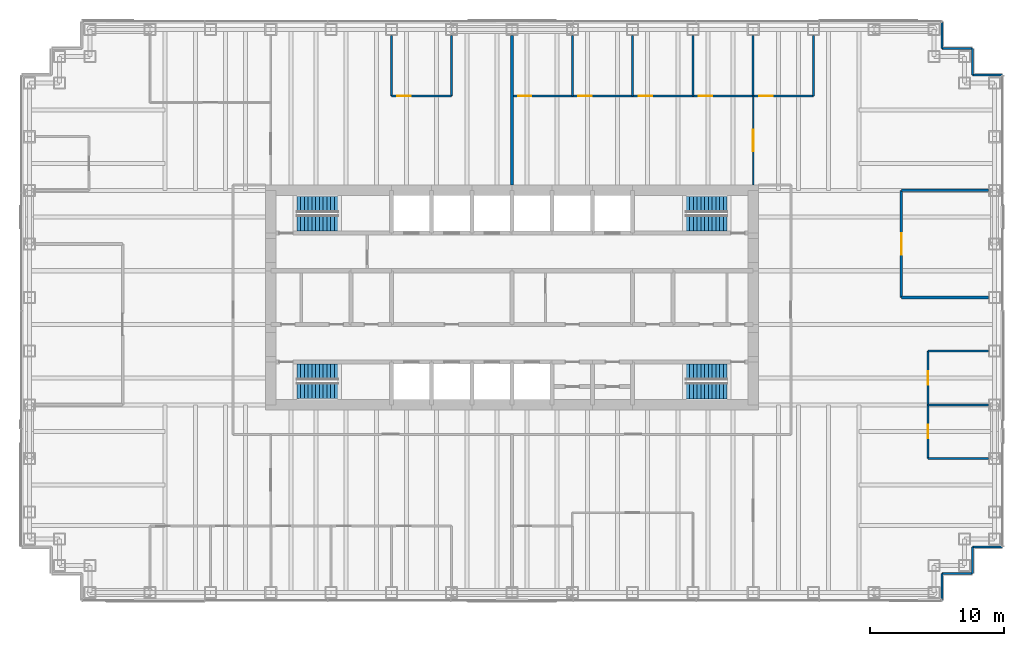
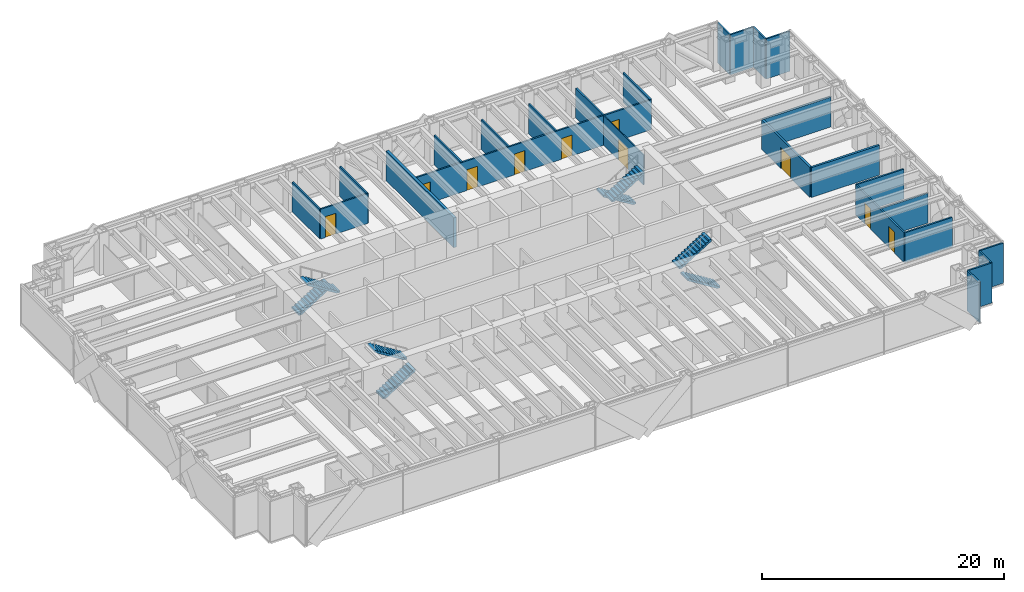
# One storey, part 17 of 18: 26 walls, 10 doors, 8 stair flights, 10 openings, 4 elements without a shape of their own.
"""IFC4 building model written with IfcOpenShell, lengths in metres."""

from ifc_helpers import new_model, si_unit, direction, frame, frame_2d, origin, place, context, subcontext, project, spatial, polyline, rectangle, outline, extrude, material, layer, layer_set, type_object, element, fill, aggregate, save


model = new_model("IFC4")

# Units and contexts
model_context = context("Model", 3, precision=1e-05, world=origin(), true_north=direction((0.0, 1.0)))
body_context = subcontext(model_context, "Body", "Model", "MODEL_VIEW")
ifc_project = project(units=[si_unit("LENGTHUNIT", "METRE"), si_unit("AREAUNIT", "SQUARE_METRE"), si_unit("VOLUMEUNIT", "CUBIC_METRE"), si_unit("PLANEANGLEUNIT", "RADIAN"), si_unit("MASSUNIT", "GRAM", prefix="KILO")], contexts=[model_context])

# Site, building, storey
site_placement = place(None, origin())
site = spatial("IfcSite", under=ifc_project, at=site_placement, CompositionType="ELEMENT")
building_placement = place(site_placement, origin())
building = spatial("IfcBuilding", under=site, at=building_placement, Name="Rheinbord Bourse Tower", CompositionType="ELEMENT")
storey_placement = place(building_placement, frame((0.0, 0.0, 244.60009765625)))
storey = spatial("IfcBuildingStorey", under=building, at=storey_placement, Name="L55", CompositionType="ELEMENT", Elevation=244.60009765625)

# Walls
ifc_material_1 = material(Name="Acoustic gypsum board partition", Category="gypsum board")
ifc_layer_1 = layer(ifc_material_1, 0.199951171875)
ifc_layer_set_1 = layer_set([ifc_layer_1], Name="ACOUSTIC PARTITION 200")
wall_type_1 = type_object("IfcWallType", Name="ACOUSTIC PARTITION 200", PredefinedType="PARTITIONING", material=ifc_layer_set_1)
for number, where, z_axis, x_axis, name in (
    (1, (65.050048828125, 24.0, 0.0), (0.0, 0.0, 1.0), (1.0, 0.0, 0.0), "Partition L55-09"),
    (2, (65.050048828125, 32.0, 0.0), (0.0, 0.0, 1.0), (1.0, 0.0, 0.0), "Partition L55-12"),
):
    element("IfcWall", number, at=place(storey_placement, frame(where, z_axis=z_axis, x_axis=x_axis)), inside=storey, type_object=wall_type_1, Name=name, PredefinedType="PARTITIONING", context=body_context, shape_type="SweptSolid", body=[
        extrude(rectangle(XDim=6.5, YDim=0.199951171875, at=frame_2d((3.25, 0.0))), origin(), (0.0, 0.0, 1.0), 3.0),
    ])

# Wall, opening, door
wall_1_placement = place(storey_placement, frame((65.050048828125, 24.0, 0.0), z_axis=(0.0, 0.0, 1.0), x_axis=(0.0, 1.0, 0.0)))
wall_1 = element("IfcWall", 3, at=wall_1_placement, inside=storey, type_object=wall_type_1, Name="Partition L55-46", PredefinedType="PARTITIONING", context=body_context, shape_type="SweptSolid", body=[
    extrude(rectangle(XDim=8.0, YDim=0.199951171875, at=frame_2d((4.0, 0.0))), origin(), (0.0, 0.0, 1.0), 3.0),
])
opening_1_placement = place(wall_1_placement, frame((3.199951171875, 0.0, 0.0)))
opening_1 = element("IfcOpeningElement", 4, at=opening_1_placement, cuts=wall_1, Name="Opening 55D11", PredefinedType="OPENING", context=body_context, shape_type="SweptSolid", body=[
    extrude(rectangle(XDim=1.60009765625, YDim=2.10009765625, at=frame_2d((0.800048828125, 1.050048828125))), frame((0.0, 0.10986328125, 0.0), z_axis=(0.0, -1.0, 0.0), x_axis=(1.0, 0.0, 0.0)), (0.0, 0.0, 1.0), 0.219970703125),
])
ifc_material_2 = material(Name="Timber door", Category="wood")
door_type_1 = type_object("IfcDoorType", Name="DOUBLE ROOM DOOR 1600", OperationType="DOUBLE_DOOR_DOUBLE_SWING", PredefinedType="DOOR", material=ifc_material_2)
door_1_placement = place(opening_1_placement, origin())
door_1 = element("IfcDoor", 5, at=door_1_placement, inside=storey, type_object=door_type_1, Name="Board room door L55", OperationType="SINGLE_SWING_LEFT", OverallHeight=2.10009765625, OverallWidth=1.60009765625, PredefinedType="DOOR", context=body_context, shape_type="SweptSolid", body=[
    extrude(rectangle(XDim=1.60009765625, YDim=2.10009765625, at=frame_2d((0.800048828125, 1.050048828125))), frame((0.0, 0.02490234375, 0.0), z_axis=(0.0, -1.0, 0.0), x_axis=(1.0, 0.0, 0.0)), (0.0, 0.0, 1.0), 0.050048828125),
])
fill(opening_1, door_1)

# Walls
ifc_material_3 = material(Name="Black metal rainscreen panel", Category="aluminium")
ifc_layer_2 = layer(ifc_material_3, 0.14990234375)
ifc_layer_set_2 = layer_set([ifc_layer_2], Name="CORNER PIER CLADDING 150")
wall_type_2 = type_object("IfcWallType", Name="CORNER PIER CLADDING 150", PredefinedType="ELEMENTEDWALL", material=ifc_layer_set_2)
wall_2_placement = place(storey_placement, frame((68.10009765625, 1.39990234375, 0.0), z_axis=(0.0, 0.0, 1.0), x_axis=(0.0, 1.0, 0.0)))
element("IfcWall", 6, at=wall_2_placement, inside=storey, type_object=wall_type_2, Name="Corner pier cladding L55 2", PredefinedType="ELEMENTEDWALL", context=body_context, shape_type="SweptSolid", body=[
    extrude(rectangle(XDim=2.0, YDim=0.14990234375, at=frame_2d((1.0, 0.0))), origin(), (0.0, 0.0, 1.0), 4.039794921875),
])
wall_3_placement = place(storey_placement, frame((68.10009765625, 3.39990234375, 0.0), z_axis=(0.0, 0.0, 1.0), x_axis=(1.0, 0.0, 0.0)))
element("IfcWall", 7, at=wall_3_placement, inside=storey, type_object=wall_type_2, Name="Corner pier cladding L55 3", PredefinedType="ELEMENTEDWALL", context=body_context, shape_type="SweptSolid", body=[
    extrude(rectangle(XDim=2.25, YDim=0.14990234375, at=frame_2d((1.125, 0.0))), origin(), (0.0, 0.0, 1.0), 4.039794921875),
])
wall_4_placement = place(storey_placement, frame((70.35009765625, 3.39990234375, 0.0), z_axis=(0.0, 0.0, 1.0), x_axis=(0.0, 1.0, 0.0)))
element("IfcWall", 8, at=wall_4_placement, inside=storey, type_object=wall_type_2, Name="Corner pier cladding L55 4", PredefinedType="ELEMENTEDWALL", context=body_context, shape_type="SweptSolid", body=[
    extrude(rectangle(XDim=2.0, YDim=0.14990234375, at=frame_2d((1.0, 0.0))), origin(), (0.0, 0.0, 1.0), 4.039794921875),
])
for number, where, z_axis, x_axis, name in (
    (9, (70.35009765625, 5.39990234375, 0.0), (0.0, 0.0, 1.0), (1.0, 0.0, 0.0), "Corner pier cladding L55 5"),
    (10, (72.60009765625, 40.60009765625, 0.0), (0.0, 0.0, 1.0), (-1.0, 0.0, 0.0), "Corner pier cladding L55 7"),
):
    element("IfcWall", number, at=place(storey_placement, frame(where, z_axis=z_axis, x_axis=x_axis)), inside=storey, type_object=wall_type_2, Name=name, PredefinedType="ELEMENTEDWALL", context=body_context, shape_type="SweptSolid", body=[
        extrude(rectangle(XDim=2.25, YDim=0.14990234375, at=frame_2d((1.125, 0.0))), origin(), (0.0, 0.0, 1.0), 4.039794921875),
    ])
wall_5_placement = place(storey_placement, frame((70.35009765625, 40.60009765625, 0.0), z_axis=(0.0, 0.0, 1.0), x_axis=(0.0, 1.0, 0.0)))
element("IfcWall", 11, at=wall_5_placement, inside=storey, type_object=wall_type_2, Name="Corner pier cladding L55 8", PredefinedType="ELEMENTEDWALL", context=body_context, shape_type="SweptSolid", body=[
    extrude(rectangle(XDim=2.0, YDim=0.14990234375, at=frame_2d((1.0, 0.0))), origin(), (0.0, 0.0, 1.0), 4.039794921875),
])
wall_6_placement = place(storey_placement, frame((70.35009765625, 42.60009765625, 0.0), z_axis=(0.0, 0.0, 1.0), x_axis=(-1.0, 0.0, 0.0)))
element("IfcWall", 12, at=wall_6_placement, inside=storey, type_object=wall_type_2, Name="Corner pier cladding L55 9", PredefinedType="ELEMENTEDWALL", context=body_context, shape_type="SweptSolid", body=[
    extrude(rectangle(XDim=2.25, YDim=0.14990234375, at=frame_2d((1.125, 0.0))), origin(), (0.0, 0.0, 1.0), 4.039794921875),
])
wall_7_placement = place(storey_placement, frame((68.10009765625, 42.60009765625, 0.0), z_axis=(0.0, 0.0, 1.0), x_axis=(0.0, 1.0, 0.0)))
element("IfcWall", 13, at=wall_7_placement, inside=storey, type_object=wall_type_2, Name="Corner pier cladding L55 10", PredefinedType="ELEMENTEDWALL", context=body_context, shape_type="SweptSolid", body=[
    extrude(rectangle(XDim=2.0, YDim=0.14990234375, at=frame_2d((1.0, 0.0))), origin(), (0.0, 0.0, 1.0), 4.039794921875),
])
ifc_material_4 = material(Name="Gypsum board tenancy wall", Category="gypsum board")
ifc_layer_3 = layer(ifc_material_4, 0.25)
ifc_layer_set_3 = layer_set([ifc_layer_3], Name="DEMISING PARTITION 250 EI60")
wall_type_3 = type_object("IfcWallType", Name="DEMISING PARTITION 250 EI60", PredefinedType="PARTITIONING", material=ifc_layer_set_3)
wall_8_placement = place(storey_placement, frame((36.0, 32.39990234375, 0.0), z_axis=(0.0, 0.0, 1.0), x_axis=(0.0, 1.0, 0.0)))
element("IfcWall", 14, at=wall_8_placement, inside=storey, type_object=wall_type_3, Name="Partition L55-34", PredefinedType="PARTITIONING", context=body_context, shape_type="SweptSolid", body=[
    extrude(rectangle(XDim=11.150146484375, YDim=0.25, at=frame_2d((5.5751953125, 0.0))), origin(), (0.0, 0.0, 1.0), 3.0),
])

# Wall, opening, door
ifc_material_5 = material(Name="Toughened laminated glass partition", Category="glass")
ifc_layer_4 = layer(ifc_material_5, 0.10009765625)
ifc_layer_set_4 = layer_set([ifc_layer_4], Name="GLAZED PARTITION 100")
wall_type_4 = type_object("IfcWallType", Name="GLAZED PARTITION 100", PredefinedType="PARTITIONING", material=ifc_layer_set_4)
wall_9_placement = place(storey_placement, frame((54.0, 32.39990234375, 0.0), z_axis=(0.0, 0.0, 1.0), x_axis=(0.0, 1.0, 0.0)))
wall_9 = element("IfcWall", 15, at=wall_9_placement, inside=storey, type_object=wall_type_4, Name="Partition L55-42", PredefinedType="PARTITIONING", context=body_context, shape_type="SweptSolid", body=[
    extrude(rectangle(XDim=6.650146484375, YDim=0.10009765625, at=frame_2d((3.3251953125, 0.0))), origin(), (0.0, 0.0, 1.0), 3.0),
])
opening_2_placement = place(wall_9_placement, frame((2.52490234375, 0.0, 0.0)))
opening_2 = element("IfcOpeningElement", 16, at=opening_2_placement, cuts=wall_9, Name="Opening 55D23", PredefinedType="OPENING", context=body_context, shape_type="SweptSolid", body=[
    extrude(rectangle(XDim=1.60009765625, YDim=2.10009765625, at=frame_2d((0.800048828125, 1.050048828125))), frame((0.0, 0.06005859375, 0.0), z_axis=(0.0, -1.0, 0.0), x_axis=(1.0, 0.0, 0.0)), (0.0, 0.0, 1.0), 0.1201171875),
])
door_2_placement = place(opening_2_placement, origin())
door_2 = element("IfcDoor", 17, at=door_2_placement, inside=storey, type_object=door_type_1, Name="Open area door L55", OperationType="SINGLE_SWING_LEFT", OverallHeight=2.10009765625, OverallWidth=1.60009765625, PredefinedType="DOOR", context=body_context, shape_type="SweptSolid", body=[
    extrude(rectangle(XDim=1.60009765625, YDim=2.10009765625, at=frame_2d((0.800048828125, 1.050048828125))), frame((0.0, 0.02490234375, 0.0), z_axis=(0.0, -1.0, 0.0), x_axis=(1.0, 0.0, 0.0)), (0.0, 0.0, 1.0), 0.050048828125),
])
fill(opening_2, door_2)

# Walls
ifc_material_6 = material(Name="Gypsum board partition", Category="gypsum board")
ifc_layer_5 = layer(ifc_material_6, 0.14990234375)
ifc_layer_set_5 = layer_set([ifc_layer_5], Name="PARTITION 150")
wall_type_5 = type_object("IfcWallType", Name="PARTITION 150", PredefinedType="PARTITIONING", material=ifc_layer_set_5)
for number, where, z_axis, x_axis, name in (
    (18, (67.050048828125, 12.0, 0.0), (0.0, 0.0, 1.0), (1.0, 0.0, 0.0), "Partition L55-04"),
    (19, (67.050048828125, 16.0, 0.0), (0.0, 0.0, 1.0), (1.0, 0.0, 0.0), "Partition L55-07"),
    (20, (67.050048828125, 20.0, 0.0), (0.0, 0.0, 1.0), (1.0, 0.0, 0.0), "Partition L55-08"),
):
    element("IfcWall", number, at=place(storey_placement, frame(where, z_axis=z_axis, x_axis=x_axis)), inside=storey, type_object=wall_type_5, Name=name, PredefinedType="PARTITIONING", context=body_context, shape_type="SweptSolid", body=[
        extrude(rectangle(XDim=4.5, YDim=0.14990234375, at=frame_2d((2.25, 0.0))), origin(), (0.0, 0.0, 1.0), 3.0),
    ])

# Wall, opening, door
wall_10_placement = place(storey_placement, frame((27.0, 39.050048828125, 0.0), z_axis=(0.0, 0.0, 1.0), x_axis=(1.0, 0.0, 0.0)))
wall_10 = element("IfcWall", 21, at=wall_10_placement, inside=storey, type_object=wall_type_5, Name="Partition L55-17", PredefinedType="PARTITIONING", context=body_context, shape_type="SweptSolid", body=[
    extrude(rectangle(XDim=4.5, YDim=0.14990234375, at=frame_2d((2.25, 0.0))), origin(), (0.0, 0.0, 1.0), 3.0),
])
opening_3_placement = place(wall_10_placement, frame((0.449951171875, 0.0, 0.0)))
opening_3 = element("IfcOpeningElement", 22, at=opening_3_placement, cuts=wall_10, Name="Opening 55D14", PredefinedType="OPENING", context=body_context, shape_type="SweptSolid", body=[
    extrude(rectangle(XDim=1.0, YDim=2.10009765625, at=frame_2d((0.5, 1.050048828125))), frame((0.0, 0.0849609375, 0.0), z_axis=(0.0, -1.0, 0.0), x_axis=(1.0, 0.0, 0.0)), (0.0, 0.0, 1.0), 0.169921875),
])
ifc_material_7 = material(Name="Timber door", Category="wood")
door_type_2 = type_object("IfcDoorType", Name="ROOM DOOR 1000", OperationType="SINGLE_SWING_LEFT", PredefinedType="DOOR", material=ifc_material_7)
door_3_placement = place(opening_3_placement, origin())
door_3 = element("IfcDoor", 23, at=door_3_placement, inside=storey, type_object=door_type_2, Name="Pantry door L55", OperationType="SINGLE_SWING_LEFT", OverallHeight=2.10009765625, OverallWidth=1.0, PredefinedType="DOOR", context=body_context, shape_type="SweptSolid", body=[
    extrude(rectangle(XDim=1.0, YDim=2.10009765625, at=frame_2d((0.5, 1.050048828125))), frame((0.0, 0.02490234375, 0.0), z_axis=(0.0, -1.0, 0.0), x_axis=(1.0, 0.0, 0.0)), (0.0, 0.0, 1.0), 0.050048828125),
])
fill(opening_3, door_3)

# Wall, openings, doors
wall_11_placement = place(storey_placement, frame((36.0, 39.050048828125, 0.0), z_axis=(0.0, 0.0, 1.0), x_axis=(1.0, 0.0, 0.0)))
wall_11 = element("IfcWall", 24, at=wall_11_placement, inside=storey, type_object=wall_type_5, Name="Partition L55-18", PredefinedType="PARTITIONING", context=body_context, shape_type="SweptSolid", body=[
    extrude(rectangle(XDim=22.5, YDim=0.14990234375, at=frame_2d((11.25, 0.0))), origin(), (0.0, 0.0, 1.0), 3.0),
])
opening_4_placement = place(wall_11_placement, frame((0.449951171875, 0.0, 0.0)))
opening_4 = element("IfcOpeningElement", 25, at=opening_4_placement, cuts=wall_11, Name="Opening 55D15", PredefinedType="OPENING", context=body_context, shape_type="SweptSolid", body=[
    extrude(rectangle(XDim=1.0, YDim=2.10009765625, at=frame_2d((0.5, 1.050048828125))), frame((0.0, 0.0849609375, 0.0), z_axis=(0.0, -1.0, 0.0), x_axis=(1.0, 0.0, 0.0)), (0.0, 0.0, 1.0), 0.169921875),
])
opening_5_placement = place(wall_11_placement, frame((4.949951171875, 0.0, 0.0)))
opening_5 = element("IfcOpeningElement", 26, at=opening_5_placement, cuts=wall_11, Name="Opening 55D16", PredefinedType="OPENING", context=body_context, shape_type="SweptSolid", body=[
    extrude(rectangle(XDim=1.0, YDim=2.10009765625, at=frame_2d((0.5, 1.050048828125))), frame((0.0, 0.0849609375, 0.0), z_axis=(0.0, -1.0, 0.0), x_axis=(1.0, 0.0, 0.0)), (0.0, 0.0, 1.0), 0.169921875),
])
opening_6_placement = place(wall_11_placement, frame((9.449951171875, 0.0, 0.0)))
opening_6 = element("IfcOpeningElement", 27, at=opening_6_placement, cuts=wall_11, Name="Opening 55D17", PredefinedType="OPENING", context=body_context, shape_type="SweptSolid", body=[
    extrude(rectangle(XDim=1.0, YDim=2.10009765625, at=frame_2d((0.5, 1.050048828125))), frame((0.0, 0.0849609375, 0.0), z_axis=(0.0, -1.0, 0.0), x_axis=(1.0, 0.0, 0.0)), (0.0, 0.0, 1.0), 0.169921875),
])
opening_7_placement = place(wall_11_placement, frame((13.949951171875, 0.0, 0.0)))
opening_7 = element("IfcOpeningElement", 28, at=opening_7_placement, cuts=wall_11, Name="Opening 55D18", PredefinedType="OPENING", context=body_context, shape_type="SweptSolid", body=[
    extrude(rectangle(XDim=1.0, YDim=2.10009765625, at=frame_2d((0.5, 1.050048828125))), frame((0.0, 0.0849609375, 0.0), z_axis=(0.0, -1.0, 0.0), x_axis=(1.0, 0.0, 0.0)), (0.0, 0.0, 1.0), 0.169921875),
])
opening_8_placement = place(wall_11_placement, frame((18.449951171875, 0.0, 0.0)))
opening_8 = element("IfcOpeningElement", 29, at=opening_8_placement, cuts=wall_11, Name="Opening 55D19", PredefinedType="OPENING", context=body_context, shape_type="SweptSolid", body=[
    extrude(rectangle(XDim=1.0, YDim=2.10009765625, at=frame_2d((0.5, 1.050048828125))), frame((0.0, 0.0849609375, 0.0), z_axis=(0.0, -1.0, 0.0), x_axis=(1.0, 0.0, 0.0)), (0.0, 0.0, 1.0), 0.169921875),
])
door_4_placement = place(opening_4_placement, origin())
door_4 = element("IfcDoor", 30, at=door_4_placement, inside=storey, type_object=door_type_2, Name="Office door L55", OperationType="SINGLE_SWING_LEFT", OverallHeight=2.10009765625, OverallWidth=1.0, PredefinedType="DOOR", context=body_context, shape_type="SweptSolid", body=[
    extrude(rectangle(XDim=1.0, YDim=2.10009765625, at=frame_2d((0.5, 1.050048828125))), frame((0.0, 0.02490234375, 0.0), z_axis=(0.0, -1.0, 0.0), x_axis=(1.0, 0.0, 0.0)), (0.0, 0.0, 1.0), 0.050048828125),
])
fill(opening_4, door_4)
door_5_placement = place(opening_5_placement, origin())
door_5 = element("IfcDoor", 31, at=door_5_placement, inside=storey, type_object=door_type_2, Name="Office door L55", OperationType="SINGLE_SWING_LEFT", OverallHeight=2.10009765625, OverallWidth=1.0, PredefinedType="DOOR", context=body_context, shape_type="SweptSolid", body=[
    extrude(rectangle(XDim=1.0, YDim=2.10009765625, at=frame_2d((0.5, 1.050048828125))), frame((0.0, 0.02490234375, 0.0), z_axis=(0.0, -1.0, 0.0), x_axis=(1.0, 0.0, 0.0)), (0.0, 0.0, 1.0), 0.050048828125),
])
fill(opening_5, door_5)
door_6_placement = place(opening_6_placement, origin())
door_6 = element("IfcDoor", 32, at=door_6_placement, inside=storey, type_object=door_type_2, Name="Office door L55", OperationType="SINGLE_SWING_LEFT", OverallHeight=2.10009765625, OverallWidth=1.0, PredefinedType="DOOR", context=body_context, shape_type="SweptSolid", body=[
    extrude(rectangle(XDim=1.0, YDim=2.10009765625, at=frame_2d((0.5, 1.050048828125))), frame((0.0, 0.02490234375, 0.0), z_axis=(0.0, -1.0, 0.0), x_axis=(1.0, 0.0, 0.0)), (0.0, 0.0, 1.0), 0.050048828125),
])
fill(opening_6, door_6)
door_7_placement = place(opening_7_placement, origin())
door_7 = element("IfcDoor", 33, at=door_7_placement, inside=storey, type_object=door_type_2, Name="Office door L55", OperationType="SINGLE_SWING_RIGHT", OverallHeight=2.10009765625, OverallWidth=1.0, PredefinedType="DOOR", context=body_context, shape_type="SweptSolid", body=[
    extrude(rectangle(XDim=1.0, YDim=2.10009765625, at=frame_2d((0.5, 1.050048828125))), frame((0.0, 0.02490234375, 0.0), z_axis=(0.0, -1.0, 0.0), x_axis=(1.0, 0.0, 0.0)), (0.0, 0.0, 1.0), 0.050048828125),
])
fill(opening_7, door_7)
door_8_placement = place(opening_8_placement, origin())
door_8 = element("IfcDoor", 34, at=door_8_placement, inside=storey, type_object=door_type_2, Name="Office door L55", OperationType="SINGLE_SWING_RIGHT", OverallHeight=2.10009765625, OverallWidth=1.0, PredefinedType="DOOR", context=body_context, shape_type="SweptSolid", body=[
    extrude(rectangle(XDim=1.0, YDim=2.10009765625, at=frame_2d((0.5, 1.050048828125))), frame((0.0, 0.02490234375, 0.0), z_axis=(0.0, -1.0, 0.0), x_axis=(1.0, 0.0, 0.0)), (0.0, 0.0, 1.0), 0.050048828125),
])
fill(opening_8, door_8)

# Walls
for number, where, z_axis, x_axis, name in (
    (35, (27.0, 39.050048828125, 0.0), (0.0, 0.0, 1.0), (0.0, 1.0, 0.0), "Partition L55-30"),
    (36, (31.5, 39.050048828125, 0.0), (0.0, 0.0, 1.0), (0.0, 1.0, 0.0), "Partition L55-32"),
    (37, (40.5, 39.050048828125, 0.0), (0.0, 0.0, 1.0), (0.0, 1.0, 0.0), "Partition L55-37"),
    (38, (45.0, 39.050048828125, 0.0), (0.0, 0.0, 1.0), (0.0, 1.0, 0.0), "Partition L55-38"),
    (39, (49.5, 39.050048828125, 0.0), (0.0, 0.0, 1.0), (0.0, 1.0, 0.0), "Partition L55-40"),
    (40, (54.0, 39.050048828125, 0.0), (0.0, 0.0, 1.0), (0.0, 1.0, 0.0), "Partition L55-43"),
    (41, (58.5, 39.050048828125, 0.0), (0.0, 0.0, 1.0), (0.0, 1.0, 0.0), "Partition L55-45"),
):
    element("IfcWall", number, at=place(storey_placement, frame(where, z_axis=z_axis, x_axis=x_axis)), inside=storey, type_object=wall_type_5, Name=name, PredefinedType="PARTITIONING", context=body_context, shape_type="SweptSolid", body=[
        extrude(rectangle(XDim=4.5, YDim=0.14990234375, at=frame_2d((2.25, 0.0))), origin(), (0.0, 0.0, 1.0), 3.0),
    ])

# Wall, openings, doors
wall_12_placement = place(storey_placement, frame((67.050048828125, 12.0, 0.0), z_axis=(0.0, 0.0, 1.0), x_axis=(0.0, 1.0, 0.0)))
wall_12 = element("IfcWall", 42, at=wall_12_placement, inside=storey, type_object=wall_type_5, Name="Partition L55-47", PredefinedType="PARTITIONING", context=body_context, shape_type="SweptSolid", body=[
    extrude(rectangle(XDim=8.0, YDim=0.14990234375, at=frame_2d((4.0, 0.0))), origin(), (0.0, 0.0, 1.0), 3.0),
])
opening_9_placement = place(wall_12_placement, frame((1.5, 0.0, 0.0)))
opening_9 = element("IfcOpeningElement", 43, at=opening_9_placement, cuts=wall_12, Name="Opening 55D08", PredefinedType="OPENING", context=body_context, shape_type="SweptSolid", body=[
    extrude(rectangle(XDim=1.0, YDim=2.10009765625, at=frame_2d((0.5, 1.050048828125))), frame((0.0, 0.0849609375, 0.0), z_axis=(0.0, -1.0, 0.0), x_axis=(1.0, 0.0, 0.0)), (0.0, 0.0, 1.0), 0.169921875),
])
opening_10_placement = place(wall_12_placement, frame((5.5, 0.0, 0.0)))
opening_10 = element("IfcOpeningElement", 44, at=opening_10_placement, cuts=wall_12, Name="Opening 55D09", PredefinedType="OPENING", context=body_context, shape_type="SweptSolid", body=[
    extrude(rectangle(XDim=1.0, YDim=2.10009765625, at=frame_2d((0.5, 1.050048828125))), frame((0.0, 0.0849609375, 0.0), z_axis=(0.0, -1.0, 0.0), x_axis=(1.0, 0.0, 0.0)), (0.0, 0.0, 1.0), 0.169921875),
])
door_9_placement = place(opening_9_placement, origin())
door_9 = element("IfcDoor", 45, at=door_9_placement, inside=storey, type_object=door_type_2, Name="Office door L55", OperationType="SINGLE_SWING_LEFT", OverallHeight=2.10009765625, OverallWidth=1.0, PredefinedType="DOOR", context=body_context, shape_type="SweptSolid", body=[
    extrude(rectangle(XDim=1.0, YDim=2.10009765625, at=frame_2d((0.5, 1.050048828125))), frame((0.0, 0.02490234375, 0.0), z_axis=(0.0, -1.0, 0.0), x_axis=(1.0, 0.0, 0.0)), (0.0, 0.0, 1.0), 0.050048828125),
])
fill(opening_9, door_9)
door_10_placement = place(opening_10_placement, origin())
door_10 = element("IfcDoor", 46, at=door_10_placement, inside=storey, type_object=door_type_2, Name="Office door L55", OperationType="SINGLE_SWING_RIGHT", OverallHeight=2.10009765625, OverallWidth=1.0, PredefinedType="DOOR", context=body_context, shape_type="SweptSolid", body=[
    extrude(rectangle(XDim=1.0, YDim=2.10009765625, at=frame_2d((0.5, 1.050048828125))), frame((0.0, 0.02490234375, 0.0), z_axis=(0.0, -1.0, 0.0), x_axis=(1.0, 0.0, 0.0)), (0.0, 0.0, 1.0), 0.050048828125),
])
fill(opening_10, door_10)

# Stair, stair flights
ifc_material_8 = material(Name="Concrete C30/37", Category="concrete")
stair_type = type_object("IfcStairType", Name="CORE STAIR HALF TURN 4200", PredefinedType="HALF_TURN_STAIR", material=ifc_material_8)
stair_1_placement = place(storey_placement, origin())
stair_1 = element("IfcStair", 47, at=stair_1_placement, inside=storey, type_object=stair_type, Name="Stair ST1 L55, type CS6", PredefinedType="HALF_TURN_STAIR")
ifc_material_9 = material(Name="Concrete C30/37", Category="concrete")
stair_flight_type = type_object("IfcStairFlightType", Name="CORE STAIR FLIGHT 1200, 12 RISERS", PredefinedType="STRAIGHT", material=ifc_material_9)
stair_flight_1_placement = place(storey_placement, frame((19.949951171875, 17.050048828125, 0.0), z_axis=(0.0, 0.0, 1.0), x_axis=(1.0, 0.0, 0.0)))
stair_flight_1 = element("IfcStairFlight", 48, at=stair_flight_1_placement, type_object=stair_flight_type, Name="STAIR L55 ST1 F1", NumberOfRisers=12, NumberOfTreads=11, PredefinedType="STRAIGHT", RiserHeight=0.175, TreadLength=0.28, context=body_context, shape_type="SweptSolid", body=[
    extrude(outline(polyline([(0.0, 0.0), (0.0, 0.175048828125), (0.280029296875, 0.175048828125), (0.280029296875, 0.35009765625), (0.56005859375, 0.35009765625), (0.56005859375, 0.52490234375), (0.840087890625, 0.52490234375), (0.840087890625, 0.699951171875), (1.1201171875, 0.699951171875), (1.1201171875, 0.875), (1.39990234375, 0.875), (1.39990234375, 1.050048828125), (1.679931640625, 1.050048828125), (1.679931640625, 1.22509765625), (1.9599609375, 1.22509765625), (1.9599609375, 1.39990234375), (2.239990234375, 1.39990234375), (2.239990234375, 1.574951171875), (2.52001953125, 1.574951171875), (2.52001953125, 1.75), (2.800048828125, 1.75), (2.800048828125, 1.925048828125), (3.080078125, 1.925048828125), (3.080078125, 2.10009765625), (3.080078125, 1.748291015625), (0.28271484375, 0.0), (0.0, 0.0)])), frame((0.0, 0.60009765625, 0.0), z_axis=(0.0, -1.0, 0.0), x_axis=(1.0, 0.0, 0.0)), (0.0, 0.0, 1.0), 1.199951171875),
])
stair_flight_2_placement = place(storey_placement, frame((23.030029296875, 18.449951171875, 2.099853515625), z_axis=(0.0, 0.0, 1.0), x_axis=(-1.0, 0.0, 0.0)))
stair_flight_2 = element("IfcStairFlight", 49, at=stair_flight_2_placement, type_object=stair_flight_type, Name="STAIR L55 ST1 F2", NumberOfRisers=12, NumberOfTreads=11, PredefinedType="STRAIGHT", RiserHeight=0.175, TreadLength=0.28, context=body_context, shape_type="SweptSolid", body=[
    extrude(outline(polyline([(0.0, 0.0), (0.0, 0.175048828125), (0.280029296875, 0.175048828125), (0.280029296875, 0.35009765625), (0.56005859375, 0.35009765625), (0.56005859375, 0.52490234375), (0.840087890625, 0.52490234375), (0.840087890625, 0.699951171875), (1.1201171875, 0.699951171875), (1.1201171875, 0.875), (1.39990234375, 0.875), (1.39990234375, 1.050048828125), (1.679931640625, 1.050048828125), (1.679931640625, 1.22509765625), (1.9599609375, 1.22509765625), (1.9599609375, 1.39990234375), (2.239990234375, 1.39990234375), (2.239990234375, 1.574951171875), (2.52001953125, 1.574951171875), (2.52001953125, 1.75), (2.800048828125, 1.75), (2.800048828125, 1.925048828125), (3.080078125, 1.925048828125), (3.080078125, 2.10009765625), (3.080078125, 1.748291015625), (0.28271484375, 0.0), (0.0, 0.0)])), frame((0.0, 0.60009765625, 0.0), z_axis=(0.0, -1.0, 0.0), x_axis=(1.0, 0.0, 0.0)), (0.0, 0.0, 1.0), 1.199951171875),
])
aggregate(stair_1, [stair_flight_1, stair_flight_2])

stair_2_placement = place(storey_placement, origin())
stair_2 = element("IfcStair", 50, at=stair_2_placement, inside=storey, type_object=stair_type, Name="Stair ST2 L55, type CS6", PredefinedType="HALF_TURN_STAIR")
stair_flight_3_placement = place(storey_placement, frame((19.949951171875, 30.949951171875, 0.0), z_axis=(0.0, 0.0, 1.0), x_axis=(1.0, 0.0, 0.0)))
stair_flight_3 = element("IfcStairFlight", 51, at=stair_flight_3_placement, type_object=stair_flight_type, Name="STAIR L55 ST2 F1", NumberOfRisers=12, NumberOfTreads=11, PredefinedType="STRAIGHT", RiserHeight=0.175, TreadLength=0.28, context=body_context, shape_type="SweptSolid", body=[
    extrude(outline(polyline([(0.0, 0.0), (0.0, 0.175048828125), (0.280029296875, 0.175048828125), (0.280029296875, 0.35009765625), (0.56005859375, 0.35009765625), (0.56005859375, 0.52490234375), (0.840087890625, 0.52490234375), (0.840087890625, 0.699951171875), (1.1201171875, 0.699951171875), (1.1201171875, 0.875), (1.39990234375, 0.875), (1.39990234375, 1.050048828125), (1.679931640625, 1.050048828125), (1.679931640625, 1.22509765625), (1.9599609375, 1.22509765625), (1.9599609375, 1.39990234375), (2.239990234375, 1.39990234375), (2.239990234375, 1.574951171875), (2.52001953125, 1.574951171875), (2.52001953125, 1.75), (2.800048828125, 1.75), (2.800048828125, 1.925048828125), (3.080078125, 1.925048828125), (3.080078125, 2.10009765625), (3.080078125, 1.748291015625), (0.28271484375, 0.0), (0.0, 0.0)])), frame((0.0, 0.60009765625, 0.0), z_axis=(0.0, -1.0, 0.0), x_axis=(1.0, 0.0, 0.0)), (0.0, 0.0, 1.0), 1.199951171875),
])
stair_flight_4_placement = place(storey_placement, frame((23.030029296875, 29.550048828125, 2.099853515625), z_axis=(0.0, 0.0, 1.0), x_axis=(-1.0, 0.0, 0.0)))
stair_flight_4 = element("IfcStairFlight", 52, at=stair_flight_4_placement, type_object=stair_flight_type, Name="STAIR L55 ST2 F2", NumberOfRisers=12, NumberOfTreads=11, PredefinedType="STRAIGHT", RiserHeight=0.175, TreadLength=0.28, context=body_context, shape_type="SweptSolid", body=[
    extrude(outline(polyline([(0.0, 0.0), (0.0, 0.175048828125), (0.280029296875, 0.175048828125), (0.280029296875, 0.35009765625), (0.56005859375, 0.35009765625), (0.56005859375, 0.52490234375), (0.840087890625, 0.52490234375), (0.840087890625, 0.699951171875), (1.1201171875, 0.699951171875), (1.1201171875, 0.875), (1.39990234375, 0.875), (1.39990234375, 1.050048828125), (1.679931640625, 1.050048828125), (1.679931640625, 1.22509765625), (1.9599609375, 1.22509765625), (1.9599609375, 1.39990234375), (2.239990234375, 1.39990234375), (2.239990234375, 1.574951171875), (2.52001953125, 1.574951171875), (2.52001953125, 1.75), (2.800048828125, 1.75), (2.800048828125, 1.925048828125), (3.080078125, 1.925048828125), (3.080078125, 2.10009765625), (3.080078125, 1.748291015625), (0.28271484375, 0.0), (0.0, 0.0)])), frame((0.0, 0.60009765625, 0.0), z_axis=(0.0, -1.0, 0.0), x_axis=(1.0, 0.0, 0.0)), (0.0, 0.0, 1.0), 1.199951171875),
])
aggregate(stair_2, [stair_flight_3, stair_flight_4])

stair_3_placement = place(storey_placement, origin())
stair_3 = element("IfcStair", 53, at=stair_3_placement, inside=storey, type_object=stair_type, Name="Stair ST3 L55, type CS6", PredefinedType="HALF_TURN_STAIR")
stair_flight_5_placement = place(storey_placement, frame((52.050048828125, 17.050048828125, 0.0), z_axis=(0.0, 0.0, 1.0), x_axis=(-1.0, 0.0, 0.0)))
stair_flight_5 = element("IfcStairFlight", 54, at=stair_flight_5_placement, type_object=stair_flight_type, Name="STAIR L55 ST3 F1", NumberOfRisers=12, NumberOfTreads=11, PredefinedType="STRAIGHT", RiserHeight=0.175, TreadLength=0.28, context=body_context, shape_type="SweptSolid", body=[
    extrude(outline(polyline([(0.0, 0.0), (0.0, 0.175048828125), (0.280029296875, 0.175048828125), (0.280029296875, 0.35009765625), (0.56005859375, 0.35009765625), (0.56005859375, 0.52490234375), (0.840087890625, 0.52490234375), (0.840087890625, 0.699951171875), (1.1201171875, 0.699951171875), (1.1201171875, 0.875), (1.39990234375, 0.875), (1.39990234375, 1.050048828125), (1.679931640625, 1.050048828125), (1.679931640625, 1.22509765625), (1.9599609375, 1.22509765625), (1.9599609375, 1.39990234375), (2.239990234375, 1.39990234375), (2.239990234375, 1.574951171875), (2.52001953125, 1.574951171875), (2.52001953125, 1.75), (2.800048828125, 1.75), (2.800048828125, 1.925048828125), (3.080078125, 1.925048828125), (3.080078125, 2.10009765625), (3.080078125, 1.748291015625), (0.28271484375, 0.0), (0.0, 0.0)])), frame((0.0, 0.60009765625, 0.0), z_axis=(0.0, -1.0, 0.0), x_axis=(1.0, 0.0, 0.0)), (0.0, 0.0, 1.0), 1.199951171875),
])
stair_flight_6_placement = place(storey_placement, frame((48.969970703125, 18.449951171875, 2.099853515625), z_axis=(0.0, 0.0, 1.0), x_axis=(1.0, 0.0, 0.0)))
stair_flight_6 = element("IfcStairFlight", 55, at=stair_flight_6_placement, type_object=stair_flight_type, Name="STAIR L55 ST3 F2", NumberOfRisers=12, NumberOfTreads=11, PredefinedType="STRAIGHT", RiserHeight=0.175, TreadLength=0.28, context=body_context, shape_type="SweptSolid", body=[
    extrude(outline(polyline([(0.0, 0.0), (0.0, 0.175048828125), (0.280029296875, 0.175048828125), (0.280029296875, 0.35009765625), (0.56005859375, 0.35009765625), (0.56005859375, 0.52490234375), (0.840087890625, 0.52490234375), (0.840087890625, 0.699951171875), (1.1201171875, 0.699951171875), (1.1201171875, 0.875), (1.39990234375, 0.875), (1.39990234375, 1.050048828125), (1.679931640625, 1.050048828125), (1.679931640625, 1.22509765625), (1.9599609375, 1.22509765625), (1.9599609375, 1.39990234375), (2.239990234375, 1.39990234375), (2.239990234375, 1.574951171875), (2.52001953125, 1.574951171875), (2.52001953125, 1.75), (2.800048828125, 1.75), (2.800048828125, 1.925048828125), (3.080078125, 1.925048828125), (3.080078125, 2.10009765625), (3.080078125, 1.748291015625), (0.28271484375, 0.0), (0.0, 0.0)])), frame((0.0, 0.60009765625, 0.0), z_axis=(0.0, -1.0, 0.0), x_axis=(1.0, 0.0, 0.0)), (0.0, 0.0, 1.0), 1.199951171875),
])
aggregate(stair_3, [stair_flight_5, stair_flight_6])

stair_4_placement = place(storey_placement, origin())
stair_4 = element("IfcStair", 56, at=stair_4_placement, inside=storey, type_object=stair_type, Name="Stair ST4 L55, type CS6", PredefinedType="HALF_TURN_STAIR")
stair_flight_7_placement = place(storey_placement, frame((52.050048828125, 30.949951171875, 0.0), z_axis=(0.0, 0.0, 1.0), x_axis=(-1.0, 0.0, 0.0)))
stair_flight_7 = element("IfcStairFlight", 57, at=stair_flight_7_placement, type_object=stair_flight_type, Name="STAIR L55 ST4 F1", NumberOfRisers=12, NumberOfTreads=11, PredefinedType="STRAIGHT", RiserHeight=0.175, TreadLength=0.28, context=body_context, shape_type="SweptSolid", body=[
    extrude(outline(polyline([(0.0, 0.0), (0.0, 0.175048828125), (0.280029296875, 0.175048828125), (0.280029296875, 0.35009765625), (0.56005859375, 0.35009765625), (0.56005859375, 0.52490234375), (0.840087890625, 0.52490234375), (0.840087890625, 0.699951171875), (1.1201171875, 0.699951171875), (1.1201171875, 0.875), (1.39990234375, 0.875), (1.39990234375, 1.050048828125), (1.679931640625, 1.050048828125), (1.679931640625, 1.22509765625), (1.9599609375, 1.22509765625), (1.9599609375, 1.39990234375), (2.239990234375, 1.39990234375), (2.239990234375, 1.574951171875), (2.52001953125, 1.574951171875), (2.52001953125, 1.75), (2.800048828125, 1.75), (2.800048828125, 1.925048828125), (3.080078125, 1.925048828125), (3.080078125, 2.10009765625), (3.080078125, 1.748291015625), (0.28271484375, 0.0), (0.0, 0.0)])), frame((0.0, 0.60009765625, 0.0), z_axis=(0.0, -1.0, 0.0), x_axis=(1.0, 0.0, 0.0)), (0.0, 0.0, 1.0), 1.199951171875),
])
stair_flight_8_placement = place(storey_placement, frame((48.969970703125, 29.550048828125, 2.099853515625), z_axis=(0.0, 0.0, 1.0), x_axis=(1.0, 0.0, 0.0)))
stair_flight_8 = element("IfcStairFlight", 58, at=stair_flight_8_placement, type_object=stair_flight_type, Name="STAIR L55 ST4 F2", NumberOfRisers=12, NumberOfTreads=11, PredefinedType="STRAIGHT", RiserHeight=0.175, TreadLength=0.28, context=body_context, shape_type="SweptSolid", body=[
    extrude(outline(polyline([(0.0, 0.0), (0.0, 0.175048828125), (0.280029296875, 0.175048828125), (0.280029296875, 0.35009765625), (0.56005859375, 0.35009765625), (0.56005859375, 0.52490234375), (0.840087890625, 0.52490234375), (0.840087890625, 0.699951171875), (1.1201171875, 0.699951171875), (1.1201171875, 0.875), (1.39990234375, 0.875), (1.39990234375, 1.050048828125), (1.679931640625, 1.050048828125), (1.679931640625, 1.22509765625), (1.9599609375, 1.22509765625), (1.9599609375, 1.39990234375), (2.239990234375, 1.39990234375), (2.239990234375, 1.574951171875), (2.52001953125, 1.574951171875), (2.52001953125, 1.75), (2.800048828125, 1.75), (2.800048828125, 1.925048828125), (3.080078125, 1.925048828125), (3.080078125, 2.10009765625), (3.080078125, 1.748291015625), (0.28271484375, 0.0), (0.0, 0.0)])), frame((0.0, 0.60009765625, 0.0), z_axis=(0.0, -1.0, 0.0), x_axis=(1.0, 0.0, 0.0)), (0.0, 0.0, 1.0), 1.199951171875),
])
aggregate(stair_4, [stair_flight_7, stair_flight_8])

save(model, "model.ifc")
